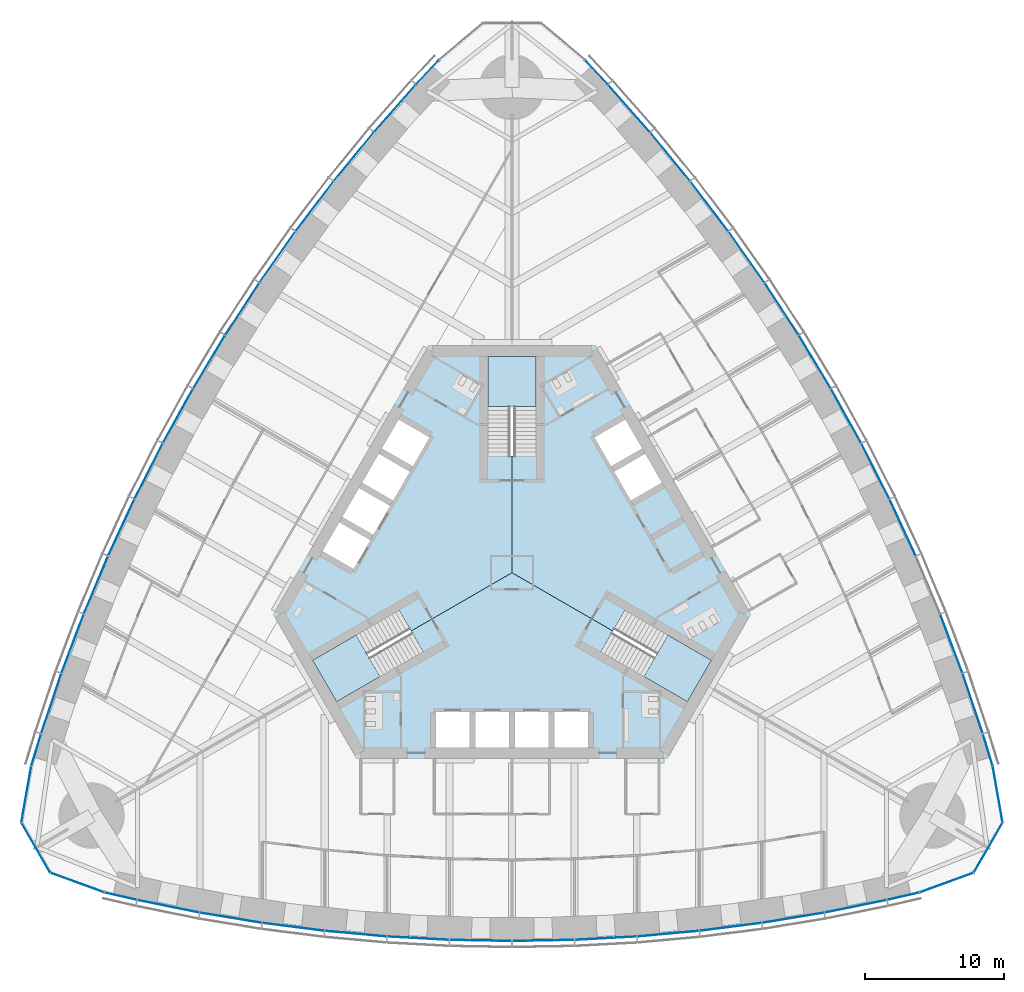
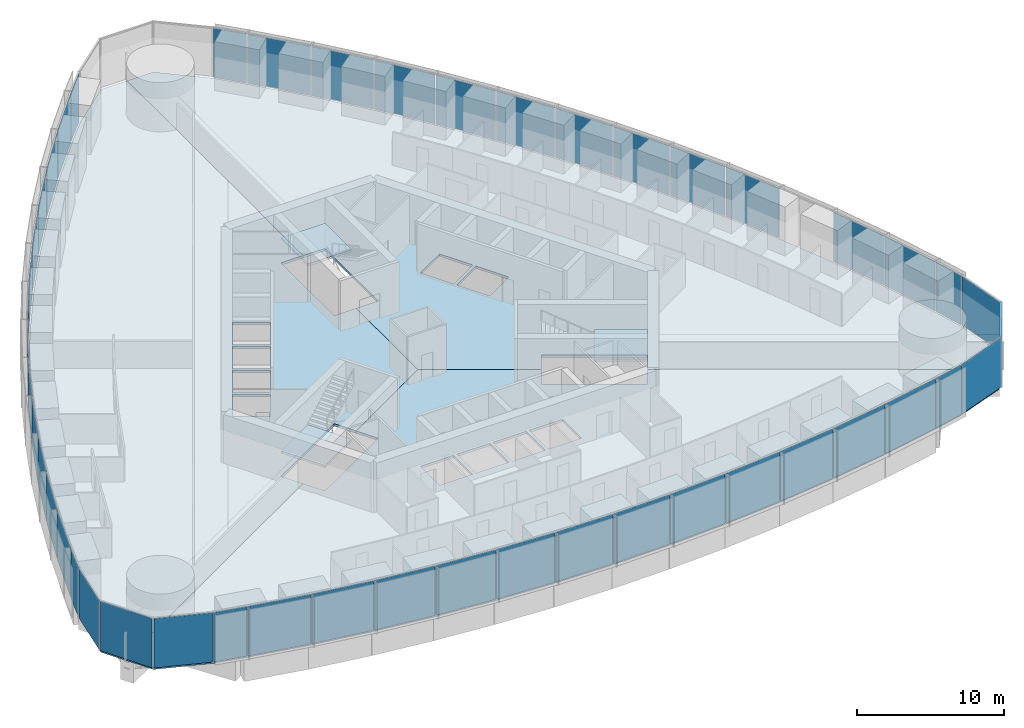
# One storey, part 9 of 20: 47 plates, 6 slabs, 8 elements without a shape of their own.
"""IFC4 building model written with IfcOpenShell, lengths in metres."""

from ifc_helpers import new_model, si_unit, direction, frame, origin, origin_2d, place, context, subcontext, project, spatial, polyline, rectangle, outline, extrude, material, layer, layer_set, type_object, element, aggregate, save


model = new_model("IFC4")

# Units and contexts
model_context = context("Model", 3, precision=1e-05, world=origin(), true_north=direction((0.0, 1.0)))
body_context = subcontext(model_context, "Body", "Model", "MODEL_VIEW")
ifc_project = project(units=[si_unit("LENGTHUNIT", "METRE"), si_unit("AREAUNIT", "SQUARE_METRE"), si_unit("VOLUMEUNIT", "CUBIC_METRE"), si_unit("PLANEANGLEUNIT", "RADIAN"), si_unit("MASSUNIT", "GRAM", prefix="KILO")], contexts=[model_context])

# Site, building, storey
site_placement = place(None, origin())
site = spatial("IfcSite", under=ifc_project, at=site_placement, CompositionType="ELEMENT")
building_placement = place(site_placement, origin())
building = spatial("IfcBuilding", under=site, at=building_placement, Name="Trefoil Bronze Tower", CompositionType="ELEMENT")
storey_placement = place(building_placement, frame((0.0, 0.0, 103.10009765625)))
storey = spatial("IfcBuildingStorey", under=building, at=storey_placement, Name="L23", CompositionType="ELEMENT", Elevation=103.10009765625)

# Curtain wall, plates
ifc_material_1 = material(Name="Tinted solar-control glass", Category="glass")
curtain_wall_type_1 = type_object("IfcCurtainWallType", Name="Bronze office curtain wall", PredefinedType="USERDEFINED", material=ifc_material_1)
curtain_wall_1_placement = place(storey_placement, origin())
curtain_wall_1 = element("IfcCurtainWall", 1, at=curtain_wall_1_placement, inside=storey, type_object=curtain_wall_type_1, Name="CW-A L23 F1", ObjectType="CURTAIN WALL", PredefinedType="USERDEFINED")
ifc_material_2 = material(Name="Tinted solar-control glass", Category="glass")
ifc_layer_1 = layer(ifc_material_2, 0.030029296875)
ifc_layer_set_1 = layer_set([ifc_layer_1], Name="Bronze office curtain wall glass panel")
plate_type_1 = type_object("IfcPlateType", Name="Bronze office curtain wall glass panel", PredefinedType="CURTAIN_PANEL", material=ifc_layer_set_1)
plate_1_placement = place(storey_placement, frame((-28.201416015625, -23.320068359375, -0.000244140625), z_axis=(0.0, 0.0, 1.0), x_axis=(0.97420444715, -0.225667222151, 0.0)))
plate_1 = element("IfcPlate", 2, at=plate_1_placement, type_object=plate_type_1, Name="CW-A L23 F1 panel 1", PredefinedType="CURTAIN_PANEL", context=body_context, shape_type="SweptSolid", body=[
    extrude(rectangle(XDim=2.340087890625, YDim=0.030029296875, at=origin_2d()), origin(), (0.0, 0.0, 1.0), 4.080078125),
])
plate_2_placement = place(storey_placement, frame((-24.769775390625, -24.048828125, -0.000244140625), z_axis=(0.0, 0.0, 1.0), x_axis=(0.980155155547, -0.198231861853, 0.0)))
plate_2 = element("IfcPlate", 3, at=plate_2_placement, type_object=plate_type_1, Name="CW-A L23 F1 panel 2", PredefinedType="CURTAIN_PANEL", context=body_context, shape_type="SweptSolid", body=[
    extrude(rectangle(XDim=4.51123046875, YDim=0.030029296875, at=origin_2d()), origin(), (0.0, 0.0, 1.0), 4.080078125),
])
plate_3_placement = place(storey_placement, frame((-20.26611328125, -24.87451171875, -0.000244140625), z_axis=(0.0, 0.0, 1.0), x_axis=(0.986759655731, -0.162189339418, 0.0)))
plate_3 = element("IfcPlate", 4, at=plate_3_placement, type_object=plate_type_1, Name="CW-A L23 F1 panel 3", PredefinedType="CURTAIN_PANEL", context=body_context, shape_type="SweptSolid", body=[
    extrude(rectangle(XDim=4.48046875, YDim=0.030029296875, at=origin_2d()), origin(), (0.0, 0.0, 1.0), 4.080078125),
])
plate_4_placement = place(storey_placement, frame((-15.7626953125, -25.53076171875, -0.000244140625), z_axis=(0.0, 0.0, 1.0), x_axis=(0.992011554286, -0.126147041833, 0.0)))
plate_4 = element("IfcPlate", 5, at=plate_4_placement, type_object=plate_type_1, Name="CW-A L23 F1 panel 4", PredefinedType="CURTAIN_PANEL", context=body_context, shape_type="SweptSolid", body=[
    extrude(rectangle(XDim=4.456298828125, YDim=0.030029296875, at=origin_2d()), origin(), (0.0, 0.0, 1.0), 4.080078125),
])
plate_5_placement = place(storey_placement, frame((-11.259033203125, -26.02099609375, -0.000244140625), z_axis=(0.0, 0.0, 1.0), x_axis=(0.995932279146, -0.090104913044, 0.0)))
plate_5 = element("IfcPlate", 6, at=plate_5_placement, type_object=plate_type_1, Name="CW-A L23 F1 panel 5", PredefinedType="CURTAIN_PANEL", context=body_context, shape_type="SweptSolid", body=[
    extrude(rectangle(XDim=4.4384765625, YDim=0.030029296875, at=origin_2d()), origin(), (0.0, 0.0, 1.0), 4.080078125),
])
plate_6_placement = place(storey_placement, frame((-6.75537109375, -26.3466796875, -0.000244140625), z_axis=(0.0, 0.0, 1.0), x_axis=(0.998537531923, -0.054062901701, 0.0)))
plate_6 = element("IfcPlate", 7, at=plate_6_placement, type_object=plate_type_1, Name="CW-A L23 F1 panel 6", PredefinedType="CURTAIN_PANEL", context=body_context, shape_type="SweptSolid", body=[
    extrude(rectangle(XDim=4.426513671875, YDim=0.030029296875, at=origin_2d()), origin(), (0.0, 0.0, 1.0), 4.080078125),
])
plate_7_placement = place(storey_placement, frame((-2.251708984375, -26.509033203125, -0.000244140625), z_axis=(0.0, 0.0, 1.0), x_axis=(0.999837609322, -0.018020959612, 0.0)))
plate_7 = element("IfcPlate", 8, at=plate_7_placement, type_object=plate_type_1, Name="CW-A L23 F1 panel 7", PredefinedType="CURTAIN_PANEL", context=body_context, shape_type="SweptSolid", body=[
    extrude(rectangle(XDim=4.420654296875, YDim=0.030029296875, at=origin_2d()), origin(), (0.0, 0.0, 1.0), 4.080078125),
])
plate_8_placement = place(storey_placement, frame((2.251708984375, -26.509033203125, -0.000244140625), z_axis=(0.0, 0.0, 1.0), x_axis=(0.999837609322, 0.018020959612, 0.0)))
plate_8 = element("IfcPlate", 9, at=plate_8_placement, type_object=plate_type_1, Name="CW-A L23 F1 panel 8", PredefinedType="CURTAIN_PANEL", context=body_context, shape_type="SweptSolid", body=[
    extrude(rectangle(XDim=4.420654296875, YDim=0.030029296875, at=origin_2d()), origin(), (0.0, 0.0, 1.0), 4.080078125),
])
plate_9_placement = place(storey_placement, frame((6.75537109375, -26.3466796875, -0.000244140625), z_axis=(0.0, 0.0, 1.0), x_axis=(0.998537531923, 0.054062901701, 0.0)))
plate_9 = element("IfcPlate", 10, at=plate_9_placement, type_object=plate_type_1, Name="CW-A L23 F1 panel 9", PredefinedType="CURTAIN_PANEL", context=body_context, shape_type="SweptSolid", body=[
    extrude(rectangle(XDim=4.426513671875, YDim=0.030029296875, at=origin_2d()), origin(), (0.0, 0.0, 1.0), 4.080078125),
])
plate_10_placement = place(storey_placement, frame((11.259033203125, -26.02099609375, -0.000244140625), z_axis=(0.0, 0.0, 1.0), x_axis=(0.995932279146, 0.090104913044, 0.0)))
plate_10 = element("IfcPlate", 11, at=plate_10_placement, type_object=plate_type_1, Name="CW-A L23 F1 panel 10", PredefinedType="CURTAIN_PANEL", context=body_context, shape_type="SweptSolid", body=[
    extrude(rectangle(XDim=4.4384765625, YDim=0.030029296875, at=origin_2d()), origin(), (0.0, 0.0, 1.0), 4.080078125),
])
plate_11_placement = place(storey_placement, frame((15.7626953125, -25.53076171875, -0.000244140625), z_axis=(0.0, 0.0, 1.0), x_axis=(0.992011554286, 0.126147041833, 0.0)))
plate_11 = element("IfcPlate", 12, at=plate_11_placement, type_object=plate_type_1, Name="CW-A L23 F1 panel 11", PredefinedType="CURTAIN_PANEL", context=body_context, shape_type="SweptSolid", body=[
    extrude(rectangle(XDim=4.456298828125, YDim=0.030029296875, at=origin_2d()), origin(), (0.0, 0.0, 1.0), 4.080078125),
])
plate_12_placement = place(storey_placement, frame((20.26611328125, -24.87451171875, -0.000244140625), z_axis=(0.0, 0.0, 1.0), x_axis=(0.986759655731, 0.162189339418, 0.0)))
plate_12 = element("IfcPlate", 13, at=plate_12_placement, type_object=plate_type_1, Name="CW-A L23 F1 panel 12", PredefinedType="CURTAIN_PANEL", context=body_context, shape_type="SweptSolid", body=[
    extrude(rectangle(XDim=4.48046875, YDim=0.030029296875, at=origin_2d()), origin(), (0.0, 0.0, 1.0), 4.080078125),
])
plate_13_placement = place(storey_placement, frame((24.769775390625, -24.048828125, -0.000244140625), z_axis=(0.0, 0.0, 1.0), x_axis=(0.980155155547, 0.198231861853, 0.0)))
plate_13 = element("IfcPlate", 14, at=plate_13_placement, type_object=plate_type_1, Name="CW-A L23 F1 panel 13", PredefinedType="CURTAIN_PANEL", context=body_context, shape_type="SweptSolid", body=[
    extrude(rectangle(XDim=4.51123046875, YDim=0.030029296875, at=origin_2d()), origin(), (0.0, 0.0, 1.0), 4.080078125),
])
plate_14_placement = place(storey_placement, frame((28.201416015625, -23.320068359375, -0.000244140625), z_axis=(0.0, 0.0, 1.0), x_axis=(0.97420444715, 0.225667222151, 0.0)))
plate_14 = element("IfcPlate", 15, at=plate_14_placement, type_object=plate_type_1, Name="CW-A L23 F1 panel 14", PredefinedType="CURTAIN_PANEL", context=body_context, shape_type="SweptSolid", body=[
    extrude(rectangle(XDim=2.340087890625, YDim=0.030029296875, at=origin_2d()), origin(), (0.0, 0.0, 1.0), 4.080078125),
])
aggregate(curtain_wall_1, [plate_1, plate_2, plate_3, plate_4, plate_5, plate_6, plate_7, plate_8, plate_9, plate_10, plate_11, plate_12, plate_13, plate_14])

curtain_wall_2_placement = place(storey_placement, origin())
curtain_wall_2 = element("IfcCurtainWall", 16, at=curtain_wall_2_placement, inside=storey, type_object=curtain_wall_type_1, Name="CW-A L23 F2", ObjectType="CURTAIN WALL", PredefinedType="USERDEFINED")
plate_15_placement = place(storey_placement, frame((34.296630859375, -12.762939453125, -0.000244140625), z_axis=(0.0, 0.0, 1.0), x_axis=(-0.291668676391, 0.956519410787, 0.0)))
plate_15 = element("IfcPlate", 17, at=plate_15_placement, type_object=plate_type_1, Name="CW-A L23 F2 panel 1", PredefinedType="CURTAIN_PANEL", context=body_context, shape_type="SweptSolid", body=[
    extrude(rectangle(XDim=2.340087890625, YDim=0.030029296875, at=origin_2d()), origin(), (0.0, 0.0, 1.0), 4.080078125),
])
plate_16_placement = place(storey_placement, frame((33.2119140625, -9.4267578125, -0.000244140625), z_axis=(0.0, 0.0, 1.0), x_axis=(-0.318403749569, 0.947955195281, 0.0)))
plate_16 = element("IfcPlate", 18, at=plate_16_placement, type_object=plate_type_1, Name="CW-A L23 F2 panel 2", PredefinedType="CURTAIN_PANEL", context=body_context, shape_type="SweptSolid", body=[
    extrude(rectangle(XDim=4.51123046875, YDim=0.030029296875, at=origin_2d()), origin(), (0.0, 0.0, 1.0), 4.080078125),
])
plate_17_placement = place(storey_placement, frame((31.675048828125, -5.11376953125, -0.000244140625), z_axis=(0.0, 0.0, 1.0), x_axis=(-0.352919739707, 0.935653599002, 0.0)))
plate_17 = element("IfcPlate", 19, at=plate_17_placement, type_object=plate_type_1, Name="CW-A L23 F2 panel 3", PredefinedType="CURTAIN_PANEL", context=body_context, shape_type="SweptSolid", body=[
    extrude(rectangle(XDim=4.48046875, YDim=0.030029296875, at=origin_2d()), origin(), (0.0, 0.0, 1.0), 4.080078125),
])
plate_18_placement = place(storey_placement, frame((28.164306640625, 3.260009765625, -0.000244140625), z_axis=(0.0, 0.0, 1.0), x_axis=(-0.419932995871, 0.907555110712, 0.0)))
plate_18 = element("IfcPlate", 20, at=plate_18_placement, type_object=plate_type_1, Name="CW-A L23 F2 panel 5", PredefinedType="CURTAIN_PANEL", context=body_context, shape_type="SweptSolid", body=[
    extrude(rectangle(XDim=4.4384765625, YDim=0.030029296875, at=origin_2d()), origin(), (0.0, 0.0, 1.0), 4.080078125),
])
plate_19_placement = place(storey_placement, frame((26.194580078125, 7.322998046875, -0.000244140625), z_axis=(0.0, 0.0, 1.0), x_axis=(-0.452448919686, 0.891790320128, 0.0)))
plate_19 = element("IfcPlate", 21, at=plate_19_placement, type_object=plate_type_1, Name="CW-A L23 F2 panel 6", PredefinedType="CURTAIN_PANEL", context=body_context, shape_type="SweptSolid", body=[
    extrude(rectangle(XDim=4.426513671875, YDim=0.030029296875, at=origin_2d()), origin(), (0.0, 0.0, 1.0), 4.080078125),
])
plate_20_placement = place(storey_placement, frame((24.08349609375, 11.304443359375, -0.000244140625), z_axis=(0.0, 0.0, 1.0), x_axis=(-0.484312195836, 0.874895249138, 0.0)))
plate_20 = element("IfcPlate", 22, at=plate_20_placement, type_object=plate_type_1, Name="CW-A L23 F2 panel 7", PredefinedType="CURTAIN_PANEL", context=body_context, shape_type="SweptSolid", body=[
    extrude(rectangle(XDim=4.420654296875, YDim=0.030029296875, at=origin_2d()), origin(), (0.0, 0.0, 1.0), 4.080078125),
])
plate_21_placement = place(storey_placement, frame((21.83154296875, 15.20458984375, -0.000244140625), z_axis=(0.0, 0.0, 1.0), x_axis=(-0.515525413486, 0.856874289526, 0.0)))
plate_21 = element("IfcPlate", 23, at=plate_21_placement, type_object=plate_type_1, Name="CW-A L23 F2 panel 8", PredefinedType="CURTAIN_PANEL", context=body_context, shape_type="SweptSolid", body=[
    extrude(rectangle(XDim=4.420654296875, YDim=0.030029296875, at=origin_2d()), origin(), (0.0, 0.0, 1.0), 4.080078125),
])
plate_22_placement = place(storey_placement, frame((19.439208984375, 19.023681640625, -0.000244140625), z_axis=(0.0, 0.0, 1.0), x_axis=(-0.546088612237, 0.837727418427, 0.0)))
plate_22 = element("IfcPlate", 24, at=plate_22_placement, type_object=plate_type_1, Name="CW-A L23 F2 panel 9", PredefinedType="CURTAIN_PANEL", context=body_context, shape_type="SweptSolid", body=[
    extrude(rectangle(XDim=4.426513671875, YDim=0.030029296875, at=origin_2d()), origin(), (0.0, 0.0, 1.0), 4.080078125),
])
plate_23_placement = place(storey_placement, frame((16.9052734375, 22.760986328125, -0.000244140625), z_axis=(0.0, 0.0, 1.0), x_axis=(-0.575999283275, 0.817450197667, 0.0)))
plate_23 = element("IfcPlate", 25, at=plate_23_placement, type_object=plate_type_1, Name="CW-A L23 F2 panel 10", PredefinedType="CURTAIN_PANEL", context=body_context, shape_type="SweptSolid", body=[
    extrude(rectangle(XDim=4.4384765625, YDim=0.030029296875, at=origin_2d()), origin(), (0.0, 0.0, 1.0), 4.080078125),
])
plate_24_placement = place(storey_placement, frame((14.22900390625, 26.416259765625, -0.000244140625), z_axis=(0.0, 0.0, 1.0), x_axis=(-0.605252319983, 0.796033685943, 0.0)))
plate_24 = element("IfcPlate", 26, at=plate_24_placement, type_object=plate_type_1, Name="CW-A L23 F2 panel 11", PredefinedType="CURTAIN_PANEL", context=body_context, shape_type="SweptSolid", body=[
    extrude(rectangle(XDim=4.456298828125, YDim=0.030029296875, at=origin_2d()), origin(), (0.0, 0.0, 1.0), 4.080078125),
])
plate_25_placement = place(storey_placement, frame((11.40869140625, 29.98828125, -0.000244140625), z_axis=(0.0, 0.0, 1.0), x_axis=(-0.633839916024, 0.773464259584, 0.0)))
plate_25 = element("IfcPlate", 27, at=plate_25_placement, type_object=plate_type_1, Name="CW-A L23 F2 panel 12", PredefinedType="CURTAIN_PANEL", context=body_context, shape_type="SweptSolid", body=[
    extrude(rectangle(XDim=4.48046875, YDim=0.030029296875, at=origin_2d()), origin(), (0.0, 0.0, 1.0), 4.080078125),
])
plate_26_placement = place(storey_placement, frame((8.442138671875, 33.475830078125, -0.000244140625), z_axis=(0.0, 0.0, 1.0), x_axis=(-0.661751405978, 0.749723333428, 0.0)))
plate_26 = element("IfcPlate", 28, at=plate_26_placement, type_object=plate_type_1, Name="CW-A L23 F2 panel 13", PredefinedType="CURTAIN_PANEL", context=body_context, shape_type="SweptSolid", body=[
    extrude(rectangle(XDim=4.51123046875, YDim=0.030029296875, at=origin_2d()), origin(), (0.0, 0.0, 1.0), 4.080078125),
])
plate_27_placement = place(storey_placement, frame((6.09521484375, 36.083251953125, -0.000244140625), z_axis=(0.0, 0.0, 1.0), x_axis=(-0.682535770759, 0.730852188636, 0.0)))
plate_27 = element("IfcPlate", 29, at=plate_27_placement, type_object=plate_type_1, Name="CW-A L23 F2 panel 14", PredefinedType="CURTAIN_PANEL", context=body_context, shape_type="SweptSolid", body=[
    extrude(rectangle(XDim=2.340087890625, YDim=0.030029296875, at=origin_2d()), origin(), (0.0, 0.0, 1.0), 4.080078125),
])
aggregate(curtain_wall_2, [plate_15, plate_16, plate_17, plate_18, plate_19, plate_20, plate_21, plate_22, plate_23, plate_24, plate_25, plate_26, plate_27])

curtain_wall_3_placement = place(storey_placement, origin())
curtain_wall_3 = element("IfcCurtainWall", 30, at=curtain_wall_3_placement, inside=storey, type_object=curtain_wall_type_1, Name="CW-A L23 F3", ObjectType="CURTAIN WALL", PredefinedType="USERDEFINED")
plate_28_placement = place(storey_placement, frame((-6.09521484375, 36.083251953125, -0.000244140625), z_axis=(0.0, 0.0, 1.0), x_axis=(-0.682535770759, -0.730852188636, 0.0)))
plate_28 = element("IfcPlate", 31, at=plate_28_placement, type_object=plate_type_1, Name="CW-A L23 F3 panel 1", PredefinedType="CURTAIN_PANEL", context=body_context, shape_type="SweptSolid", body=[
    extrude(rectangle(XDim=2.340087890625, YDim=0.030029296875, at=origin_2d()), origin(), (0.0, 0.0, 1.0), 4.080078125),
])
plate_29_placement = place(storey_placement, frame((-8.442138671875, 33.475830078125, -0.000244140625), z_axis=(0.0, 0.0, 1.0), x_axis=(-0.661751405978, -0.749723333428, 0.0)))
plate_29 = element("IfcPlate", 32, at=plate_29_placement, type_object=plate_type_1, Name="CW-A L23 F3 panel 2", PredefinedType="CURTAIN_PANEL", context=body_context, shape_type="SweptSolid", body=[
    extrude(rectangle(XDim=4.51123046875, YDim=0.030029296875, at=origin_2d()), origin(), (0.0, 0.0, 1.0), 4.080078125),
])
plate_30_placement = place(storey_placement, frame((-11.40869140625, 29.98828125, -0.000244140625), z_axis=(0.0, 0.0, 1.0), x_axis=(-0.633839916024, -0.773464259584, 0.0)))
plate_30 = element("IfcPlate", 33, at=plate_30_placement, type_object=plate_type_1, Name="CW-A L23 F3 panel 3", PredefinedType="CURTAIN_PANEL", context=body_context, shape_type="SweptSolid", body=[
    extrude(rectangle(XDim=4.48046875, YDim=0.030029296875, at=origin_2d()), origin(), (0.0, 0.0, 1.0), 4.080078125),
])
plate_31_placement = place(storey_placement, frame((-14.22900390625, 26.416259765625, -0.000244140625), z_axis=(0.0, 0.0, 1.0), x_axis=(-0.605252319983, -0.796033685943, 0.0)))
plate_31 = element("IfcPlate", 34, at=plate_31_placement, type_object=plate_type_1, Name="CW-A L23 F3 panel 4", PredefinedType="CURTAIN_PANEL", context=body_context, shape_type="SweptSolid", body=[
    extrude(rectangle(XDim=4.456298828125, YDim=0.030029296875, at=origin_2d()), origin(), (0.0, 0.0, 1.0), 4.080078125),
])
plate_32_placement = place(storey_placement, frame((-16.9052734375, 22.760986328125, -0.000244140625), z_axis=(0.0, 0.0, 1.0), x_axis=(-0.575999283275, -0.817450197667, 0.0)))
plate_32 = element("IfcPlate", 35, at=plate_32_placement, type_object=plate_type_1, Name="CW-A L23 F3 panel 5", PredefinedType="CURTAIN_PANEL", context=body_context, shape_type="SweptSolid", body=[
    extrude(rectangle(XDim=4.4384765625, YDim=0.030029296875, at=origin_2d()), origin(), (0.0, 0.0, 1.0), 4.080078125),
])
plate_33_placement = place(storey_placement, frame((-19.439208984375, 19.023681640625, -0.000244140625), z_axis=(0.0, 0.0, 1.0), x_axis=(-0.546088612237, -0.837727418427, 0.0)))
plate_33 = element("IfcPlate", 36, at=plate_33_placement, type_object=plate_type_1, Name="CW-A L23 F3 panel 6", PredefinedType="CURTAIN_PANEL", context=body_context, shape_type="SweptSolid", body=[
    extrude(rectangle(XDim=4.426513671875, YDim=0.030029296875, at=origin_2d()), origin(), (0.0, 0.0, 1.0), 4.080078125),
])
plate_34_placement = place(storey_placement, frame((-21.83154296875, 15.20458984375, -0.000244140625), z_axis=(0.0, 0.0, 1.0), x_axis=(-0.515525413486, -0.856874289526, 0.0)))
plate_34 = element("IfcPlate", 37, at=plate_34_placement, type_object=plate_type_1, Name="CW-A L23 F3 panel 7", PredefinedType="CURTAIN_PANEL", context=body_context, shape_type="SweptSolid", body=[
    extrude(rectangle(XDim=4.420654296875, YDim=0.030029296875, at=origin_2d()), origin(), (0.0, 0.0, 1.0), 4.080078125),
])
plate_35_placement = place(storey_placement, frame((-24.08349609375, 11.304443359375, -0.000244140625), z_axis=(0.0, 0.0, 1.0), x_axis=(-0.484312195836, -0.874895249138, 0.0)))
plate_35 = element("IfcPlate", 38, at=plate_35_placement, type_object=plate_type_1, Name="CW-A L23 F3 panel 8", PredefinedType="CURTAIN_PANEL", context=body_context, shape_type="SweptSolid", body=[
    extrude(rectangle(XDim=4.420654296875, YDim=0.030029296875, at=origin_2d()), origin(), (0.0, 0.0, 1.0), 4.080078125),
])
plate_36_placement = place(storey_placement, frame((-26.194580078125, 7.322998046875, -0.000244140625), z_axis=(0.0, 0.0, 1.0), x_axis=(-0.452448919686, -0.891790320128, 0.0)))
plate_36 = element("IfcPlate", 39, at=plate_36_placement, type_object=plate_type_1, Name="CW-A L23 F3 panel 9", PredefinedType="CURTAIN_PANEL", context=body_context, shape_type="SweptSolid", body=[
    extrude(rectangle(XDim=4.426513671875, YDim=0.030029296875, at=origin_2d()), origin(), (0.0, 0.0, 1.0), 4.080078125),
])
plate_37_placement = place(storey_placement, frame((-28.164306640625, 3.260009765625, -0.000244140625), z_axis=(0.0, 0.0, 1.0), x_axis=(-0.419932995871, -0.907555110712, 0.0)))
plate_37 = element("IfcPlate", 40, at=plate_37_placement, type_object=plate_type_1, Name="CW-A L23 F3 panel 10", PredefinedType="CURTAIN_PANEL", context=body_context, shape_type="SweptSolid", body=[
    extrude(rectangle(XDim=4.4384765625, YDim=0.030029296875, at=origin_2d()), origin(), (0.0, 0.0, 1.0), 4.080078125),
])
plate_38_placement = place(storey_placement, frame((-29.99169921875, -0.885498046875, -0.000244140625), z_axis=(0.0, 0.0, 1.0), x_axis=(-0.386759234303, -0.922180727776, 0.0)))
plate_38 = element("IfcPlate", 41, at=plate_38_placement, type_object=plate_type_1, Name="CW-A L23 F3 panel 11", PredefinedType="CURTAIN_PANEL", context=body_context, shape_type="SweptSolid", body=[
    extrude(rectangle(XDim=4.456298828125, YDim=0.030029296875, at=origin_2d()), origin(), (0.0, 0.0, 1.0), 4.080078125),
])
plate_39_placement = place(storey_placement, frame((-31.675048828125, -5.11376953125, -0.000244140625), z_axis=(0.0, 0.0, 1.0), x_axis=(-0.352919739707, -0.935653599002, 0.0)))
plate_39 = element("IfcPlate", 42, at=plate_39_placement, type_object=plate_type_1, Name="CW-A L23 F3 panel 12", PredefinedType="CURTAIN_PANEL", context=body_context, shape_type="SweptSolid", body=[
    extrude(rectangle(XDim=4.48046875, YDim=0.030029296875, at=origin_2d()), origin(), (0.0, 0.0, 1.0), 4.080078125),
])
plate_40_placement = place(storey_placement, frame((-33.2119140625, -9.4267578125, -0.000244140625), z_axis=(0.0, 0.0, 1.0), x_axis=(-0.318403749569, -0.947955195281, 0.0)))
plate_40 = element("IfcPlate", 43, at=plate_40_placement, type_object=plate_type_1, Name="CW-A L23 F3 panel 13", PredefinedType="CURTAIN_PANEL", context=body_context, shape_type="SweptSolid", body=[
    extrude(rectangle(XDim=4.51123046875, YDim=0.030029296875, at=origin_2d()), origin(), (0.0, 0.0, 1.0), 4.080078125),
])
plate_41_placement = place(storey_placement, frame((-34.296630859375, -12.762939453125, -0.000244140625), z_axis=(0.0, 0.0, 1.0), x_axis=(-0.291668676391, -0.956519410787, 0.0)))
plate_41 = element("IfcPlate", 44, at=plate_41_placement, type_object=plate_type_1, Name="CW-A L23 F3 panel 14", PredefinedType="CURTAIN_PANEL", context=body_context, shape_type="SweptSolid", body=[
    extrude(rectangle(XDim=2.340087890625, YDim=0.030029296875, at=origin_2d()), origin(), (0.0, 0.0, 1.0), 4.080078125),
])
aggregate(curtain_wall_3, [plate_28, plate_29, plate_30, plate_31, plate_32, plate_33, plate_34, plate_35, plate_36, plate_37, plate_38, plate_39, plate_40, plate_41])

ifc_material_3 = material(Name="Tinted solar-control glass", Category="glass")
curtain_wall_type_2 = type_object("IfcCurtainWallType", Name="Bronze rounded corner curtain wall", PredefinedType="USERDEFINED", material=ifc_material_3)
curtain_wall_4_placement = place(storey_placement, origin())
curtain_wall_4 = element("IfcCurtainWall", 45, at=curtain_wall_4_placement, inside=storey, type_object=curtain_wall_type_2, Name="CW-B L23 K1", ObjectType="CURTAIN WALL", PredefinedType="USERDEFINED")
ifc_material_4 = material(Name="Tinted solar-control glass", Category="glass")
ifc_layer_2 = layer(ifc_material_4, 0.030029296875)
ifc_layer_set_2 = layer_set([ifc_layer_2], Name="Bronze rounded corner curtain wall glass panel")
plate_type_2 = type_object("IfcPlateType", Name="Bronze rounded corner curtain wall glass panel", PredefinedType="CURTAIN_PANEL", material=ifc_layer_set_2)
plate_42_placement = place(storey_placement, frame((31.3203125, -22.341796875, -0.000244140625), z_axis=(0.0, 0.0, 1.0), x_axis=(0.939692620786, 0.342020143326, 0.0)))
plate_42 = element("IfcPlate", 46, at=plate_42_placement, type_object=plate_type_2, Name="CW-B L23 K1 panel 1", PredefinedType="CURTAIN_PANEL", context=body_context, shape_type="SweptSolid", body=[
    extrude(rectangle(XDim=4.044189453125, YDim=0.030029296875, at=origin_2d()), origin(), (0.0, 0.0, 1.0), 4.080078125),
])
plate_43_placement = place(storey_placement, frame((34.3271484375, -19.81884765625, -0.000244140625), z_axis=(0.0, 0.0, 1.0), x_axis=(0.5, 0.866025403784, 0.0)))
plate_43 = element("IfcPlate", 47, at=plate_43_placement, type_object=plate_type_2, Name="CW-B L23 K1 panel 2", PredefinedType="CURTAIN_PANEL", context=body_context, shape_type="SweptSolid", body=[
    extrude(rectangle(XDim=4.044189453125, YDim=0.030029296875, at=origin_2d()), origin(), (0.0, 0.0, 1.0), 4.080078125),
])
plate_44_placement = place(storey_placement, frame((35.0087890625, -15.953369140625, -0.000244140625), z_axis=(0.0, 0.0, 1.0), x_axis=(-0.173648177667, 0.984807753012, 0.0)))
plate_44 = element("IfcPlate", 48, at=plate_44_placement, type_object=plate_type_2, Name="CW-B L23 K1 panel 3", PredefinedType="CURTAIN_PANEL", context=body_context, shape_type="SweptSolid", body=[
    extrude(rectangle(XDim=4.044189453125, YDim=0.030029296875, at=origin_2d()), origin(), (0.0, 0.0, 1.0), 4.080078125),
])
aggregate(curtain_wall_4, [plate_42, plate_43, plate_44])

curtain_wall_5_placement = place(storey_placement, origin())
curtain_wall_5 = element("IfcCurtainWall", 49, at=curtain_wall_5_placement, inside=storey, type_object=curtain_wall_type_2, Name="CW-B L23 K3", ObjectType="CURTAIN WALL", PredefinedType="USERDEFINED")
plate_45_placement = place(storey_placement, frame((-35.0087890625, -15.953369140625, -0.000244140625), z_axis=(0.0, 0.0, 1.0), x_axis=(-0.173648177667, -0.984807753012, 0.0)))
plate_45 = element("IfcPlate", 50, at=plate_45_placement, type_object=plate_type_2, Name="CW-B L23 K3 panel 1", PredefinedType="CURTAIN_PANEL", context=body_context, shape_type="SweptSolid", body=[
    extrude(rectangle(XDim=4.044189453125, YDim=0.030029296875, at=origin_2d()), origin(), (0.0, 0.0, 1.0), 4.080078125),
])
plate_46_placement = place(storey_placement, frame((-34.3271484375, -19.81884765625, -0.000244140625), z_axis=(0.0, 0.0, 1.0), x_axis=(0.5, -0.866025403784, 0.0)))
plate_46 = element("IfcPlate", 51, at=plate_46_placement, type_object=plate_type_2, Name="CW-B L23 K3 panel 2", PredefinedType="CURTAIN_PANEL", context=body_context, shape_type="SweptSolid", body=[
    extrude(rectangle(XDim=4.044189453125, YDim=0.030029296875, at=origin_2d()), origin(), (0.0, 0.0, 1.0), 4.080078125),
])
plate_47_placement = place(storey_placement, frame((-31.3203125, -22.341796875, -0.000244140625), z_axis=(0.0, 0.0, 1.0), x_axis=(0.939692620786, -0.342020143326, 0.0)))
plate_47 = element("IfcPlate", 52, at=plate_47_placement, type_object=plate_type_2, Name="CW-B L23 K3 panel 3", PredefinedType="CURTAIN_PANEL", context=body_context, shape_type="SweptSolid", body=[
    extrude(rectangle(XDim=4.044189453125, YDim=0.030029296875, at=origin_2d()), origin(), (0.0, 0.0, 1.0), 4.080078125),
])
aggregate(curtain_wall_5, [plate_45, plate_46, plate_47])

# Slabs
ifc_material_5 = material(Name="Concrete B30", Category="concrete")
ifc_layer_3 = layer(ifc_material_5, 0.199951171875)
ifc_layer_set_3 = layer_set([ifc_layer_3], Name="Floor slab 200")
slab_type_1 = type_object("IfcSlabType", Name="Floor slab 200", PredefinedType="FLOOR", material=ifc_layer_set_3)
slab_1_placement = place(storey_placement, frame((0.0, 0.0, -0.2001953125)))
element("IfcSlab", 53, at=slab_1_placement, inside=storey, type_object=slab_type_1, Name="Floor slab L23 face 1", PredefinedType="FLOOR", context=body_context, shape_type="SweptSolid", body=[
    extrude(outline(polyline([(22.5, -24.406005859375), (18.0, -25.1455078125), (13.5, -25.7177734375), (9.0, -26.125), (4.5, -26.36865234375), (0.0, -26.44970703125), (-4.5, -26.36865234375), (-9.0, -26.125), (-13.5, -25.7177734375), (-18.0, -25.1455078125), (-22.5, -24.406005859375), (-27.0, -23.495849609375), (-29.357666015625, -22.94970703125), (-33.21435546875, -21.5458984375), (-34.240478515625, -19.768798828125), (-13.510009765625, -7.800048828125), (-12.6474609375, -9.2939453125), (-6.412109375, -5.69384765625), (-7.274658203125, -4.199951171875), (0.0, 0.0), (7.274658203125, -4.199951171875), (6.412109375, -5.69384765625), (12.6474609375, -9.2939453125), (13.510009765625, -7.800048828125), (34.240478515625, -19.768798828125), (33.21435546875, -21.5458984375), (29.357666015625, -22.94970703125), (27.0, -23.495849609375), (22.5, -24.406005859375)]), holes=[polyline([(-5.574951171875, -10.02490234375), (-2.97509765625, -10.02490234375), (-2.97509765625, -12.60009765625), (-5.574951171875, -12.60009765625), (-5.574951171875, -10.02490234375)]), polyline([(-2.72509765625, -10.02490234375), (-0.125, -10.02490234375), (-0.125, -12.60009765625), (-2.72509765625, -12.60009765625), (-2.72509765625, -10.02490234375)]), polyline([(0.125, -10.02490234375), (2.72509765625, -10.02490234375), (2.72509765625, -12.60009765625), (0.125, -12.60009765625), (0.125, -10.02490234375)]), polyline([(2.97509765625, -10.02490234375), (5.574951171875, -10.02490234375), (5.574951171875, -12.60009765625), (2.97509765625, -12.60009765625), (2.97509765625, -10.02490234375)])]), origin(), (0.0, 0.0, 1.0), 0.2001953125),
])
slab_2_placement = place(storey_placement, frame((0.0, 0.0, -0.2001953125)))
element("IfcSlab", 54, at=slab_2_placement, inside=storey, type_object=slab_type_1, Name="Floor slab L23 face 2", PredefinedType="FLOOR", context=body_context, shape_type="SweptSolid", body=[
    extrude(outline(polyline([(9.88623046875, 31.6884765625), (12.776611328125, 28.1611328125), (15.522216796875, 24.55029296875), (18.124755859375, 20.856689453125), (20.5859375, 17.081298828125), (22.906005859375, 13.224853515625), (25.0859375, 9.287109375), (27.124755859375, 5.268310546875), (29.022216796875, 1.16748046875), (30.776611328125, -3.015625), (32.38623046875, -7.28271484375), (33.847900390625, -11.634765625), (34.553955078125, -13.94970703125), (35.2666015625, -17.991455078125), (34.240478515625, -19.768798828125), (13.510009765625, -7.800048828125), (14.37255859375, -6.30615234375), (8.13720703125, -2.7060546875), (7.274658203125, -4.199951171875), (0.0, 0.0), (0.0, 8.39990234375), (1.72509765625, 8.39990234375), (1.72509765625, 15.60009765625), (0.0, 15.60009765625), (0.0, 39.53759765625), (2.052001953125, 39.53759765625), (5.196044921875, 36.8994140625), (6.847900390625, 35.130615234375), (9.88623046875, 31.6884765625)]), holes=[polyline([(8.619384765625, 5.120849609375), (7.3193359375, 7.372314453125), (9.54931640625, 8.659912109375), (10.849365234375, 6.408203125), (8.619384765625, 5.120849609375)]), polyline([(7.1943359375, 7.5888671875), (5.894287109375, 9.840576171875), (8.12451171875, 11.128173828125), (9.42431640625, 8.87646484375), (7.1943359375, 7.5888671875)])]), origin(), (0.0, 0.0, 1.0), 0.2001953125),
])
slab_3_placement = place(storey_placement, frame((0.0, 0.0, -0.2001953125)))
element("IfcSlab", 55, at=slab_3_placement, inside=storey, type_object=slab_type_1, Name="Floor slab L23 face 3", PredefinedType="FLOOR", context=body_context, shape_type="SweptSolid", body=[
    extrude(outline(polyline([(-32.38623046875, -7.28271484375), (-30.776611328125, -3.015625), (-29.022216796875, 1.16748046875), (-27.124755859375, 5.268310546875), (-25.0859375, 9.287109375), (-22.906005859375, 13.224853515625), (-20.5859375, 17.081298828125), (-18.124755859375, 20.856689453125), (-15.522216796875, 24.55029296875), (-12.776611328125, 28.1611328125), (-9.88623046875, 31.6884765625), (-6.847900390625, 35.130615234375), (-5.196044921875, 36.8994140625), (-2.052001953125, 39.53759765625), (0.0, 39.53759765625), (0.0, 15.60009765625), (-1.72509765625, 15.60009765625), (-1.72509765625, 8.39990234375), (0.0, 8.39990234375), (0.0, 0.0), (-7.274658203125, -4.199951171875), (-8.13720703125, -2.7060546875), (-14.37255859375, -6.30615234375), (-13.510009765625, -7.800048828125), (-34.240478515625, -19.768798828125), (-35.2666015625, -17.991455078125), (-34.553955078125, -13.94970703125), (-33.847900390625, -11.634765625), (-32.38623046875, -7.28271484375)]), holes=[polyline([(-5.894287109375, 9.840576171875), (-7.1943359375, 7.5888671875), (-9.42431640625, 8.87646484375), (-8.12451171875, 11.128173828125), (-5.894287109375, 9.840576171875)]), polyline([(-7.3193359375, 7.372314453125), (-8.619384765625, 5.120849609375), (-10.849365234375, 6.408203125), (-9.54931640625, 8.659912109375), (-7.3193359375, 7.372314453125)]), polyline([(-8.744384765625, 4.904296875), (-10.04443359375, 2.652587890625), (-12.2744140625, 3.940185546875), (-10.974365234375, 6.191650390625), (-8.744384765625, 4.904296875)]), polyline([(-10.16943359375, 2.43603515625), (-11.469482421875, 0.184326171875), (-13.699462890625, 1.471923828125), (-12.3994140625, 3.7236328125), (-10.16943359375, 2.43603515625)])]), origin(), (0.0, 0.0, 1.0), 0.2001953125),
])

# Stair, slab
ifc_material_6 = material(Name="Precast concrete B80", Category="concrete")
stair_type = type_object("IfcStairType", Name="Exit stair 26 risers", PredefinedType="HALF_TURN_STAIR", material=ifc_material_6)
stair_1_placement = place(storey_placement, origin())
stair_1 = element("IfcStair", 56, at=stair_1_placement, inside=storey, type_object=stair_type, Name="Stair ST1 L23", PredefinedType="HALF_TURN_STAIR")
ifc_material_7 = material(Name="Concrete B30", Category="concrete")
ifc_layer_4 = layer(ifc_material_7, 0.199951171875)
ifc_layer_set_4 = layer_set([ifc_layer_4], Name="Stair landing 200")
slab_type_2 = type_object("IfcSlabType", Name="Stair landing 200", PredefinedType="LANDING", material=ifc_layer_set_4)
slab_4_placement = place(storey_placement, frame((0.0, 0.0, 1.89990234375)))
slab_4 = element("IfcSlab", 57, at=slab_4_placement, type_object=slab_type_2, Name="ST1 landing 1", PredefinedType="LANDING", context=body_context, shape_type="SweptSolid", body=[
    extrude(outline(polyline([(9.512451171875, -7.48388671875), (12.6474609375, -9.2939453125), (14.37255859375, -6.30615234375), (11.237548828125, -4.49609375), (9.512451171875, -7.48388671875)])), origin(), (0.0, 0.0, 1.0), 0.199951171875),
])
aggregate(stair_1, [slab_4])

stair_2_placement = place(storey_placement, origin())
stair_2 = element("IfcStair", 58, at=stair_2_placement, inside=storey, type_object=stair_type, Name="Stair ST2 L23", PredefinedType="HALF_TURN_STAIR")
slab_5_placement = place(storey_placement, frame((0.0, 0.0, 1.89990234375)))
slab_5 = element("IfcSlab", 59, at=slab_5_placement, type_object=slab_type_2, Name="ST2 landing 1", PredefinedType="LANDING", context=body_context, shape_type="SweptSolid", body=[
    extrude(outline(polyline([(1.72509765625, 11.97998046875), (1.72509765625, 15.60009765625), (-1.72509765625, 15.60009765625), (-1.72509765625, 11.97998046875), (1.72509765625, 11.97998046875)])), origin(), (0.0, 0.0, 1.0), 0.199951171875),
])
aggregate(stair_2, [slab_5])

stair_3_placement = place(storey_placement, origin())
stair_3 = element("IfcStair", 60, at=stair_3_placement, inside=storey, type_object=stair_type, Name="Stair ST3 L23", PredefinedType="HALF_TURN_STAIR")
slab_6_placement = place(storey_placement, frame((0.0, 0.0, 1.89990234375)))
slab_6 = element("IfcSlab", 61, at=slab_6_placement, type_object=slab_type_2, Name="ST3 landing 1", PredefinedType="LANDING", context=body_context, shape_type="SweptSolid", body=[
    extrude(outline(polyline([(-11.237548828125, -4.49609375), (-14.37255859375, -6.30615234375), (-12.6474609375, -9.2939453125), (-9.512451171875, -7.48388671875), (-11.237548828125, -4.49609375)])), origin(), (0.0, 0.0, 1.0), 0.199951171875),
])
aggregate(stair_3, [slab_6])

save(model, "model.ifc")
